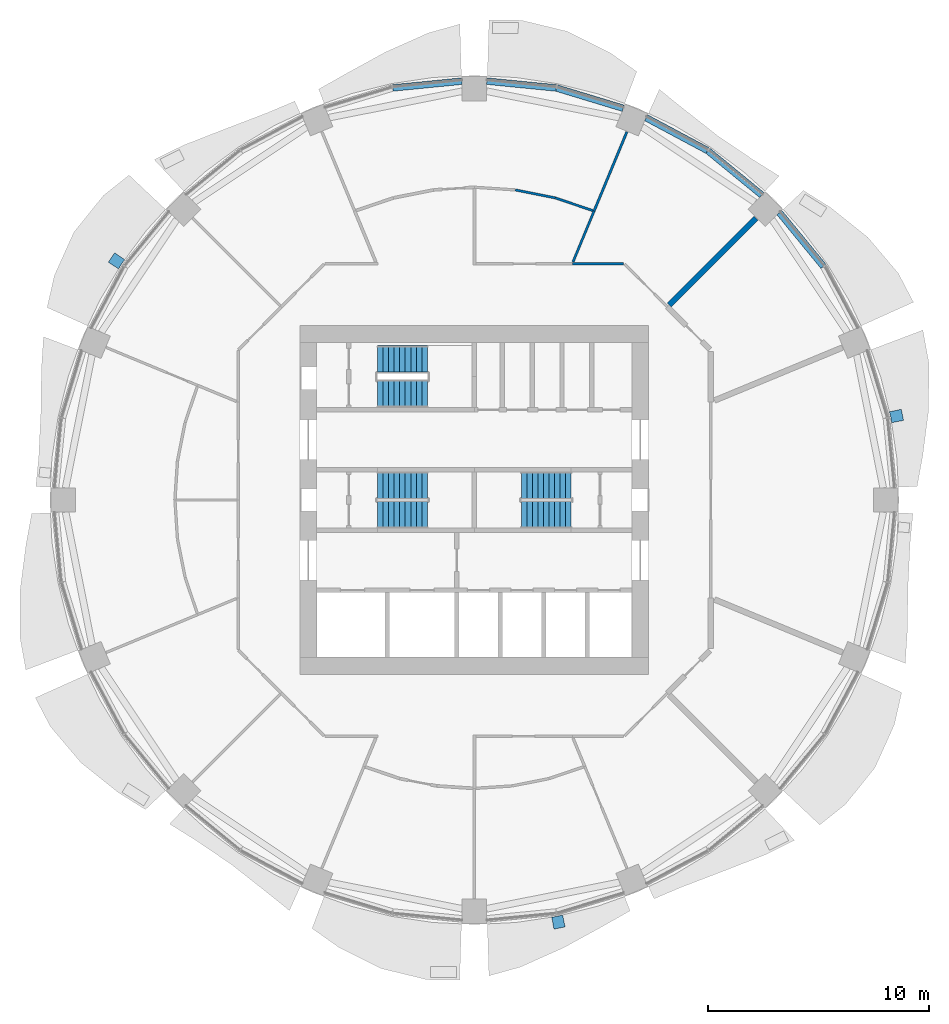
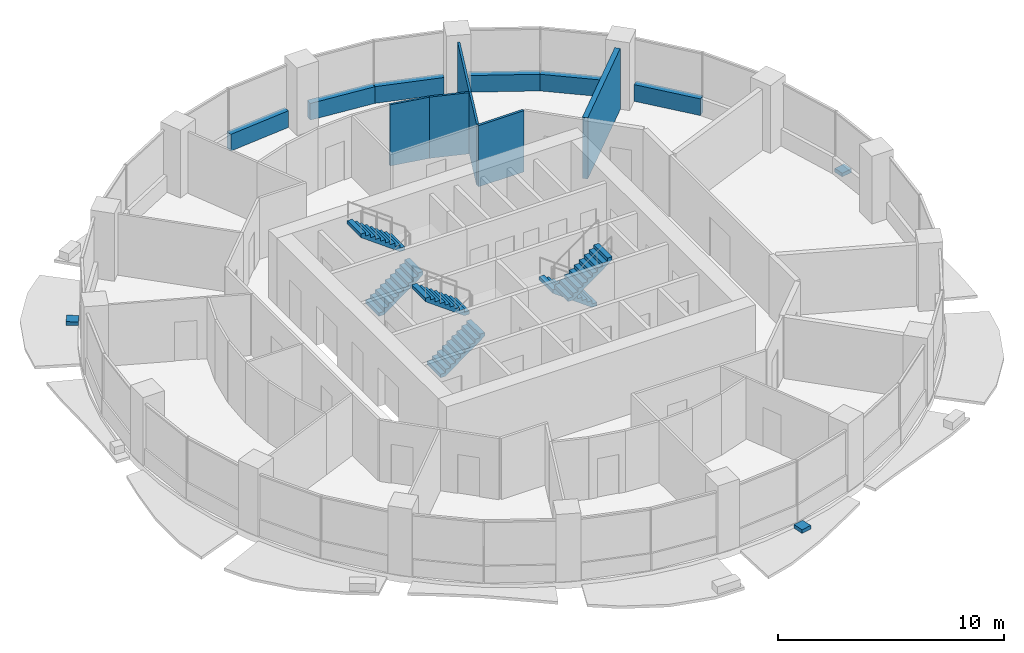
# One storey, part 10 of 14: 12 walls, 6 stair flights, 3 discrete accessories, 3 elements without a shape of their own.
"""IFC4 building model written with IfcOpenShell, lengths in metres."""

from ifc_helpers import new_model, si_unit, direction, frame, frame_2d, origin, place, context, subcontext, project, spatial, polyline, rectangle, outline, extrude, material, layer, layer_set, type_object, element, aggregate, save


model = new_model("IFC4")

# Units and contexts
model_context = context("Model", 3, precision=1e-05, world=origin(), true_north=direction((0.0, 1.0)))
body_context = subcontext(model_context, "Body", "Model", "MODEL_VIEW")
ifc_project = project(units=[si_unit("LENGTHUNIT", "METRE"), si_unit("AREAUNIT", "SQUARE_METRE"), si_unit("VOLUMEUNIT", "CUBIC_METRE"), si_unit("PLANEANGLEUNIT", "RADIAN"), si_unit("MASSUNIT", "GRAM", prefix="KILO")], contexts=[model_context])

# Site, building, storey
site_placement = place(None, origin())
site = spatial("IfcSite", under=ifc_project, at=site_placement, CompositionType="ELEMENT")
building_placement = place(site_placement, origin())
building = spatial("IfcBuilding", under=site, at=building_placement, Name="Polderwave Tower", CompositionType="ELEMENT")
storey_placement = place(building_placement, frame((0.0, 0.0, 105.60009765625)))
storey = spatial("IfcBuildingStorey", under=building, at=storey_placement, Name="L27", CompositionType="ELEMENT", Elevation=105.60009765625)

# Walls
ifc_material_1 = material(Name="Concrete C50/60 (board-marked)", Category="concrete")
ifc_layer_1 = layer(ifc_material_1, 0.300048828125)
ifc_layer_set_1 = layer_set([ifc_layer_1], Name="Concrete spandrel upstand C50/60")
wall_type_1 = type_object("IfcWallType", Name="Concrete spandrel upstand C50/60", PredefinedType="SOLIDWALL", material=ifc_layer_set_1)
for number, where, z_axis, x_axis, name in (
    (1, (15.771484375, 10.556640625, 0.0), (0.0, 0.0, 1.0), (-0.634274895162, 0.773107597536, 0.0), "Spandrel L27 2b"),
    (2, (12.9833984375, 13.780517578125, 0.0), (0.0, 0.0, 1.0), (-0.773107597536, 0.634274895162, 0.0), "Spandrel L27 3a"),
):
    element("IfcWall", number, at=place(storey_placement, frame(where, z_axis=z_axis, x_axis=x_axis)), inside=storey, type_object=wall_type_1, Name=name, PredefinedType="SOLIDWALL", context=body_context, shape_type="SweptSolid", body=[
        extrude(rectangle(XDim=3.138916015625, YDim=0.300048828125, at=frame_2d((1.5693359375, 0.0))), origin(), (0.0, 0.0, 1.0), 0.89990234375),
    ])
wall_1_placement = place(storey_placement, frame((10.53173828125, 15.7880859375, 0.0), z_axis=(0.0, 0.0, 1.0), x_axis=(-0.88193278355, 0.471375185282, 0.0)))
element("IfcWall", 3, at=wall_1_placement, inside=storey, type_object=wall_type_1, Name="Spandrel L27 3b", PredefinedType="SOLIDWALL", context=body_context, shape_type="SweptSolid", body=[
    extrude(rectangle(XDim=3.13916015625, YDim=0.300048828125, at=frame_2d((1.569580078125, 0.0))), origin(), (0.0, 0.0, 1.0), 0.89990234375),
])
wall_2_placement = place(storey_placement, frame((6.7216796875, 17.699462890625, 0.0), z_axis=(0.0, 0.0, 1.0), x_axis=(-0.956961595403, 0.290214584271, 0.0)))
element("IfcWall", 4, at=wall_2_placement, inside=storey, type_object=wall_type_1, Name="Spandrel L27 4a", PredefinedType="SOLIDWALL", context=body_context, shape_type="SweptSolid", body=[
    extrude(rectangle(XDim=3.139404296875, YDim=0.300048828125, at=frame_2d((1.56982421875, 0.0))), origin(), (0.0, 0.0, 1.0), 0.89990234375),
])
for number, where, z_axis, x_axis, name in (
    (5, (3.68798828125, 18.616455078125, 0.0), (0.0, 0.0, 1.0), (-0.995171790956, 0.098148390136, 0.0), "Spandrel L27 4b"),
    (6, (-0.56396484375, 18.924560546875, 0.0), (0.0, 0.0, 1.0), (-0.995171790956, -0.098148390136, 0.0), "Spandrel L27 5a"),
):
    element("IfcWall", number, at=place(storey_placement, frame(where, z_axis=z_axis, x_axis=x_axis)), inside=storey, type_object=wall_type_1, Name=name, PredefinedType="SOLIDWALL", context=body_context, shape_type="SweptSolid", body=[
        extrude(rectangle(XDim=3.13916015625, YDim=0.300048828125, at=frame_2d((1.569580078125, 0.0))), origin(), (0.0, 0.0, 1.0), 0.89990234375),
    ])
ifc_material_2 = material(Name="Fire-resisting board on steel studs", Category="steel")
ifc_layer_2 = layer(ifc_material_2, 0.125)
ifc_layer_set_2 = layer_set([ifc_layer_2], Name="Corridor wall 125 mm EI 60")
wall_type_2 = type_object("IfcWallType", Name="Corridor wall 125 mm EI 60", PredefinedType="PARTITIONING", material=ifc_layer_set_2)
wall_3_placement = place(storey_placement, frame((4.42138671875, 10.674072265625, 0.0), z_axis=(0.0, 0.0, 1.0), x_axis=(1.0, 0.0, 0.0)))
element("IfcWall", 7, at=wall_3_placement, inside=storey, type_object=wall_type_2, Name="IN-L27-W006", PredefinedType="PARTITIONING", context=body_context, shape_type="SweptSolid", body=[
    extrude(rectangle(XDim=2.32373046875, YDim=0.125, at=frame_2d((1.161865234375, 0.0))), origin(), (0.0, 0.0, 1.0), 3.2998046875),
])
ifc_material_3 = material(Name="Moisture-resistant board on steel studs, tiled", Category="steel")
ifc_layer_3 = layer(ifc_material_3, 0.10498046875)
ifc_layer_set_3 = layer_set([ifc_layer_3], Name="Partition 105 mm wet room board and tile")
wall_type_3 = type_object("IfcWallType", Name="Partition 105 mm wet room board and tile", PredefinedType="PARTITIONING", material=ifc_layer_set_3)
wall_4_placement = place(storey_placement, frame((4.45556640625, 10.756591796875, 0.0), z_axis=(0.0, 0.0, 1.0), x_axis=(0.382634999188, 0.923899592703, 0.0)))
element("IfcWall", 8, at=wall_4_placement, inside=storey, type_object=wall_type_3, Name="IN-L27-W025", PredefinedType="PARTITIONING", context=body_context, shape_type="SweptSolid", body=[
    extrude(rectangle(XDim=2.487060546875, YDim=0.10498046875, at=frame_2d((1.24365234375, 0.0))), origin(), (0.0, 0.0, 1.0), 3.2998046875),
])
wall_5_placement = place(storey_placement, frame((1.84765625, 14.00830078125, 0.0), z_axis=(0.0, 0.0, 1.0), x_axis=(0.98079932362, -0.195019708711, 0.0)))
element("IfcWall", 9, at=wall_5_placement, inside=storey, type_object=wall_type_3, Name="IN-L27-W028", PredefinedType="PARTITIONING", context=body_context, shape_type="SweptSolid", body=[
    extrude(rectangle(XDim=1.841552734375, YDim=0.10498046875, at=frame_2d((0.9208984375, 0.0))), origin(), (0.0, 0.0, 1.0), 3.2998046875),
])
wall_6_placement = place(storey_placement, frame((3.660400390625, 13.6474609375, 0.0), z_axis=(0.0, 0.0, 1.0), x_axis=(0.946919275018, -0.321471439787, 0.0)))
element("IfcWall", 10, at=wall_6_placement, inside=storey, type_object=wall_type_3, Name="IN-L27-W029", PredefinedType="PARTITIONING", context=body_context, shape_type="SweptSolid", body=[
    extrude(rectangle(XDim=1.7861328125, YDim=0.10498046875, at=frame_2d((0.89306640625, 0.0))), origin(), (0.0, 0.0, 1.0), 3.2998046875),
])
ifc_material_4 = material(Name="Acoustic double plasterboard on steel studs", Category="steel")
ifc_layer_4 = layer(ifc_material_4, 0.110107421875)
ifc_layer_set_4 = layer_set([ifc_layer_4], Name="Partition 110 mm acoustic double board")
wall_type_4 = type_object("IfcWallType", Name="Partition 110 mm acoustic double board", PredefinedType="PARTITIONING", material=ifc_layer_set_4)
wall_7_placement = place(storey_placement, frame((5.4072265625, 13.054443359375, 0.0), z_axis=(0.0, 0.0, 1.0), x_axis=(0.382674944996, 0.923883048049, 0.0)))
element("IfcWall", 11, at=wall_7_placement, inside=storey, type_object=wall_type_4, Name="IN-L27-W026", PredefinedType="PARTITIONING", context=body_context, shape_type="SweptSolid", body=[
    extrude(rectangle(XDim=3.8701171875, YDim=0.110107421875, at=frame_2d((1.93505859375, 0.0))), origin(), (0.0, 0.0, 1.0), 3.2998046875),
])
ifc_material_5 = material(Name="Fire-resisting board on steel studs, mineral wool", Category="steel")
ifc_layer_5 = layer(ifc_material_5, 0.25)
ifc_layer_set_5 = layer_set([ifc_layer_5], Name="Plant room wall 250 mm EI 120")
wall_type_5 = type_object("IfcWallType", Name="Plant room wall 250 mm EI 120", PredefinedType="PARTITIONING", material=ifc_layer_set_5)
wall_8_placement = place(storey_placement, frame((12.727783203125, 12.727783203125, 0.0), z_axis=(0.0, 0.0, 1.0), x_axis=(-0.707106781187, -0.707106781187, 0.0)))
element("IfcWall", 12, at=wall_8_placement, inside=storey, type_object=wall_type_5, Name="IN-L27-W024", PredefinedType="PARTITIONING", context=body_context, shape_type="SweptSolid", body=[
    extrude(rectangle(XDim=5.53955078125, YDim=0.25, at=frame_2d((2.769775390625, 0.0))), origin(), (0.0, 0.0, 1.0), 3.2998046875),
])

# Stair, stair flights
ifc_material_6 = material(Name="Concrete C40/50", Category="concrete")
stair_type = type_object("IfcStairType", Name="Exit stair 1200 x 20 risers", PredefinedType="HALF_TURN_STAIR", material=ifc_material_6)
stair_1_placement = place(storey_placement, origin())
stair_1 = element("IfcStair", 13, at=stair_1_placement, inside=storey, type_object=stair_type, Name="L27 Exit stair A", PredefinedType="HALF_TURN_STAIR")
stair_flight_type = type_object("IfcStairFlightType", Name="Stair flight 1200", PredefinedType="STRAIGHT", material=ifc_material_6)
stair_flight_1_placement = place(storey_placement, frame((-4.3740234375, -0.675048828125, 0.0), z_axis=(0.0, 0.0, 1.0), x_axis=(1.0, 0.0, 0.0)))
stair_flight_1 = element("IfcStairFlight", 14, at=stair_flight_1_placement, type_object=stair_flight_type, Name="ST-A flight 1", NumberOfRisers=10, NumberOfTreads=9, PredefinedType="STRAIGHT", RiserHeight=0.1825, TreadLength=0.25, context=body_context, shape_type="SweptSolid", body=[
    extrude(outline(polyline([(0.0, 0.0), (0.0, 0.1826171875), (0.25, 0.1826171875), (0.25, 0.364990234375), (0.5, 0.364990234375), (0.5, 0.547607421875), (0.75, 0.547607421875), (0.75, 0.72998046875), (1.0, 0.72998046875), (1.0, 0.91259765625), (1.25, 0.91259765625), (1.25, 1.094970703125), (1.5, 1.094970703125), (1.5, 1.277587890625), (1.75, 1.277587890625), (1.75, 1.4599609375), (2.0, 1.4599609375), (2.0, 1.642578125), (2.25, 1.642578125), (2.25, 1.824951171875), (2.25, 1.456787109375), (0.254150390625, 0.0), (0.0, 0.0)])), frame((0.0, 0.60009765625, 0.0), z_axis=(0.0, -1.0, 0.0), x_axis=(1.0, 0.0, 0.0)), (0.0, 0.0, 1.0), 1.199951171875),
])
stair_flight_2_placement = place(storey_placement, frame((-2.1240234375, 0.675048828125, 1.824951171875), z_axis=(0.0, 0.0, 1.0), x_axis=(-1.0, 0.0, 0.0)))
stair_flight_2 = element("IfcStairFlight", 15, at=stair_flight_2_placement, type_object=stair_flight_type, Name="ST-A flight 2", NumberOfRisers=10, NumberOfTreads=9, PredefinedType="STRAIGHT", RiserHeight=0.1825, TreadLength=0.25, context=body_context, shape_type="SweptSolid", body=[
    extrude(outline(polyline([(0.0, 0.0), (0.0, 0.1826171875), (0.25, 0.1826171875), (0.25, 0.364990234375), (0.5, 0.364990234375), (0.5, 0.547607421875), (0.75, 0.547607421875), (0.75, 0.72998046875), (1.0, 0.72998046875), (1.0, 0.91259765625), (1.25, 0.91259765625), (1.25, 1.094970703125), (1.5, 1.094970703125), (1.5, 1.277587890625), (1.75, 1.277587890625), (1.75, 1.4599609375), (2.0, 1.4599609375), (2.0, 1.642578125), (2.25, 1.642578125), (2.25, 1.824951171875), (2.25, 1.456787109375), (0.254150390625, 0.0), (0.0, 0.0)])), frame((0.0, 0.60009765625, 0.0), z_axis=(0.0, -1.0, 0.0), x_axis=(1.0, 0.0, 0.0)), (0.0, 0.0, 1.0), 1.199951171875),
])
aggregate(stair_1, [stair_flight_1, stair_flight_2])

stair_2_placement = place(storey_placement, origin())
stair_2 = element("IfcStair", 16, at=stair_2_placement, inside=storey, type_object=stair_type, Name="L27 Exit stair B", PredefinedType="HALF_TURN_STAIR")
stair_flight_3_placement = place(storey_placement, frame((4.3740234375, 0.675048828125, 0.0), z_axis=(0.0, 0.0, 1.0), x_axis=(-1.0, 0.0, 0.0)))
stair_flight_3 = element("IfcStairFlight", 17, at=stair_flight_3_placement, type_object=stair_flight_type, Name="ST-B flight 1", NumberOfRisers=10, NumberOfTreads=9, PredefinedType="STRAIGHT", RiserHeight=0.1825, TreadLength=0.25, context=body_context, shape_type="SweptSolid", body=[
    extrude(outline(polyline([(0.0, 0.0), (0.0, 0.1826171875), (0.25, 0.1826171875), (0.25, 0.364990234375), (0.5, 0.364990234375), (0.5, 0.547607421875), (0.75, 0.547607421875), (0.75, 0.72998046875), (1.0, 0.72998046875), (1.0, 0.91259765625), (1.25, 0.91259765625), (1.25, 1.094970703125), (1.5, 1.094970703125), (1.5, 1.277587890625), (1.75, 1.277587890625), (1.75, 1.4599609375), (2.0, 1.4599609375), (2.0, 1.642578125), (2.25, 1.642578125), (2.25, 1.824951171875), (2.25, 1.456787109375), (0.254150390625, 0.0), (0.0, 0.0)])), frame((0.0, 0.60009765625, 0.0), z_axis=(0.0, -1.0, 0.0), x_axis=(1.0, 0.0, 0.0)), (0.0, 0.0, 1.0), 1.199951171875),
])
stair_flight_4_placement = place(storey_placement, frame((2.1240234375, -0.675048828125, 1.824951171875), z_axis=(0.0, 0.0, 1.0), x_axis=(1.0, 0.0, 0.0)))
stair_flight_4 = element("IfcStairFlight", 18, at=stair_flight_4_placement, type_object=stair_flight_type, Name="ST-B flight 2", NumberOfRisers=10, NumberOfTreads=9, PredefinedType="STRAIGHT", RiserHeight=0.1825, TreadLength=0.25, context=body_context, shape_type="SweptSolid", body=[
    extrude(outline(polyline([(0.0, 0.0), (0.0, 0.1826171875), (0.25, 0.1826171875), (0.25, 0.364990234375), (0.5, 0.364990234375), (0.5, 0.547607421875), (0.75, 0.547607421875), (0.75, 0.72998046875), (1.0, 0.72998046875), (1.0, 0.91259765625), (1.25, 0.91259765625), (1.25, 1.094970703125), (1.5, 1.094970703125), (1.5, 1.277587890625), (1.75, 1.277587890625), (1.75, 1.4599609375), (2.0, 1.4599609375), (2.0, 1.642578125), (2.25, 1.642578125), (2.25, 1.824951171875), (2.25, 1.456787109375), (0.254150390625, 0.0), (0.0, 0.0)])), frame((0.0, 0.60009765625, 0.0), z_axis=(0.0, -1.0, 0.0), x_axis=(1.0, 0.0, 0.0)), (0.0, 0.0, 1.0), 1.199951171875),
])
aggregate(stair_2, [stair_flight_3, stair_flight_4])

stair_3_placement = place(storey_placement, origin())
stair_3 = element("IfcStair", 19, at=stair_3_placement, inside=storey, type_object=stair_type, Name="L27 Exit stair C", PredefinedType="HALF_TURN_STAIR")
stair_flight_5_placement = place(storey_placement, frame((-4.3740234375, 4.77392578125, 0.0), z_axis=(0.0, 0.0, 1.0), x_axis=(1.0, 0.0, 0.0)))
stair_flight_5 = element("IfcStairFlight", 20, at=stair_flight_5_placement, type_object=stair_flight_type, Name="ST-C flight 1", NumberOfRisers=10, NumberOfTreads=9, PredefinedType="STRAIGHT", RiserHeight=0.1825, TreadLength=0.25, context=body_context, shape_type="SweptSolid", body=[
    extrude(outline(polyline([(0.0, 0.0), (0.0, 0.1826171875), (0.25, 0.1826171875), (0.25, 0.364990234375), (0.5, 0.364990234375), (0.5, 0.547607421875), (0.75, 0.547607421875), (0.75, 0.72998046875), (1.0, 0.72998046875), (1.0, 0.91259765625), (1.25, 0.91259765625), (1.25, 1.094970703125), (1.5, 1.094970703125), (1.5, 1.277587890625), (1.75, 1.277587890625), (1.75, 1.4599609375), (2.0, 1.4599609375), (2.0, 1.642578125), (2.25, 1.642578125), (2.25, 1.824951171875), (2.25, 1.456787109375), (0.254150390625, 0.0), (0.0, 0.0)])), frame((0.0, 0.60009765625, 0.0), z_axis=(0.0, -1.0, 0.0), x_axis=(1.0, 0.0, 0.0)), (0.0, 0.0, 1.0), 1.199951171875),
])
stair_flight_6_placement = place(storey_placement, frame((-2.1240234375, 6.3740234375, 1.824951171875), z_axis=(0.0, 0.0, 1.0), x_axis=(-1.0, 0.0, 0.0)))
stair_flight_6 = element("IfcStairFlight", 21, at=stair_flight_6_placement, type_object=stair_flight_type, Name="ST-C flight 2", NumberOfRisers=10, NumberOfTreads=9, PredefinedType="STRAIGHT", RiserHeight=0.1825, TreadLength=0.25, context=body_context, shape_type="SweptSolid", body=[
    extrude(outline(polyline([(0.0, 0.0), (0.0, 0.1826171875), (0.25, 0.1826171875), (0.25, 0.364990234375), (0.5, 0.364990234375), (0.5, 0.547607421875), (0.75, 0.547607421875), (0.75, 0.72998046875), (1.0, 0.72998046875), (1.0, 0.91259765625), (1.25, 0.91259765625), (1.25, 1.094970703125), (1.5, 1.094970703125), (1.5, 1.277587890625), (1.75, 1.277587890625), (1.75, 1.4599609375), (2.0, 1.4599609375), (2.0, 1.642578125), (2.25, 1.642578125), (2.25, 1.824951171875), (2.25, 1.456787109375), (0.254150390625, 0.0), (0.0, 0.0)])), frame((0.0, 0.60009765625, 0.0), z_axis=(0.0, -1.0, 0.0), x_axis=(1.0, 0.0, 0.0)), (0.0, 0.0, 1.0), 1.199951171875),
])
aggregate(stair_3, [stair_flight_5, stair_flight_6])

# Discrete accessories
ifc_material_7 = material(Name="Steel S355", Category="steel")
discrete_accessory_type = type_object("IfcDiscreteAccessoryType", Name="Band bracket pad", PredefinedType="BRACKET", material=ifc_material_7)
discrete_accessory_1_placement = place(storey_placement, frame((0.0, 0.0, -0.2001953125)))
element("IfcDiscreteAccessory", 22, at=discrete_accessory_1_placement, inside=storey, type_object=discrete_accessory_type, Name="Band bracket L27 1", PredefinedType="BRACKET", context=body_context, shape_type="SweptSolid", body=[
    extrude(outline(polyline([(18.84814453125, 3.494384765625), (18.8115234375, 3.74169921875), (18.750732421875, 3.984375), (19.288818359375, 4.0986328125), (19.388916015625, 3.5947265625), (18.84814453125, 3.494384765625)])), origin(), (0.0, 0.0, 1.0), 0.2001953125),
])
discrete_accessory_2_placement = place(storey_placement, frame((0.0, 0.0, -0.2001953125)))
element("IfcDiscreteAccessory", 23, at=discrete_accessory_2_placement, inside=storey, type_object=discrete_accessory_type, Name="Band bracket L27 7", PredefinedType="BRACKET", context=body_context, shape_type="SweptSolid", body=[
    extrude(outline(polyline([(-15.798583984375, 10.856689453125), (-15.947509765625, 10.65576171875), (-16.076171875, 10.44140625), (-16.537353515625, 10.740966796875), (-16.251953125, 11.168212890625), (-15.798583984375, 10.856689453125)])), origin(), (0.0, 0.0, 1.0), 0.2001953125),
])
discrete_accessory_3_placement = place(storey_placement, frame((0.0, 0.0, -0.2001953125)))
element("IfcDiscreteAccessory", 24, at=discrete_accessory_3_placement, inside=storey, type_object=discrete_accessory_type, Name="Band bracket L27 13", PredefinedType="BRACKET", context=body_context, shape_type="SweptSolid", body=[
    extrude(outline(polyline([(3.494384765625, -18.84814453125), (3.74169921875, -18.8115234375), (3.984375, -18.750732421875), (4.0986328125, -19.288818359375), (3.5947265625, -19.388916015625), (3.494384765625, -18.84814453125)])), origin(), (0.0, 0.0, 1.0), 0.2001953125),
])

save(model, "model.ifc")
